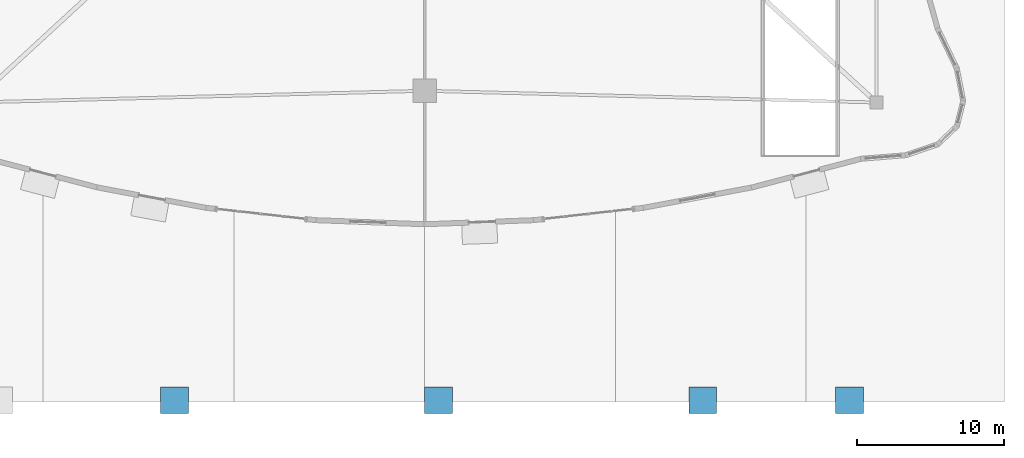
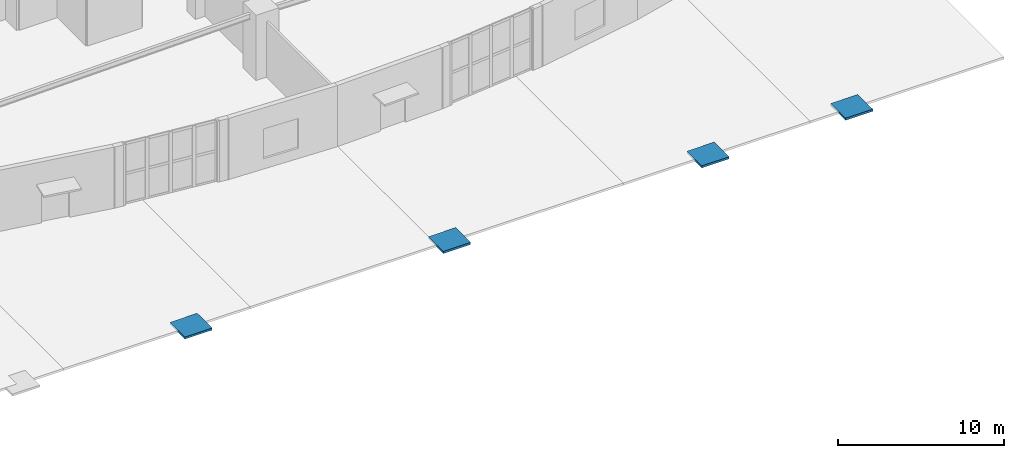
# One storey, part 27 of 32: 4 ramp flights, 4 elements without a shape of their own.
"""IFC4 building model written with IfcOpenShell, lengths in metres."""

from ifc_helpers import new_model, si_unit, direction, frame, origin, place, context, subcontext, project, spatial, polyline, outline, extrude, material, layer, layer_set, type_object, element, aggregate, save


model = new_model("IFC4")

# Units and contexts
model_context = context("Model", 3, precision=1e-05, world=origin(), true_north=direction((0.0, 1.0)))
body_context = subcontext(model_context, "Body", "Model", "MODEL_VIEW")
ifc_project = project(units=[si_unit("LENGTHUNIT", "METRE"), si_unit("AREAUNIT", "SQUARE_METRE"), si_unit("VOLUMEUNIT", "CUBIC_METRE"), si_unit("PLANEANGLEUNIT", "RADIAN"), si_unit("MASSUNIT", "GRAM", prefix="KILO")], contexts=[model_context])

# Site, building, storey
site_placement = place(None, origin())
site = spatial("IfcSite", under=ifc_project, at=site_placement, CompositionType="ELEMENT")
building_placement = place(site_placement, origin())
building = spatial("IfcBuilding", under=site, at=building_placement, Name="Miruveldt Soraemaru", CompositionType="ELEMENT")
storey_placement = place(building_placement, origin())
storey = spatial("IfcBuildingStorey", under=building, at=storey_placement, Name="L01", CompositionType="ELEMENT", Elevation=0.0)

# Ramp, ramp flight
ifc_material = material(Name="Concrete C40/50 (40 MPa)", Category="concrete")
ramp_type = type_object("IfcRampType", Name="RAMP-ACC-180", PredefinedType="HALF_TURN_RAMP", material=ifc_material)
ramp_1_placement = place(storey_placement, origin())
ramp_1 = element("IfcRamp", 1, at=ramp_1_placement, inside=storey, type_object=ramp_type, Name="L01 Step-Free Entrance Ramp 2", PredefinedType="HALF_TURN_RAMP")
ifc_layer = layer(ifc_material, 0.199951171875, Name="Concrete C40/50 (40 MPa)", Category="concrete")
ifc_layer_set = layer_set([ifc_layer], Name="Concrete C40/50 (40 MPa)")
ramp_flight_type = type_object("IfcRampFlightType", Name="RFL-ACC-200", PredefinedType="STRAIGHT", material=ifc_layer_set)
ramp_flight_1_placement = place(storey_placement, frame((26.0, 1.300048828125, -0.00048828125), z_axis=(0.0, 0.0, 1.0), x_axis=(1.0, 0.0, 0.0)))
ramp_flight_1 = element("IfcRampFlight", 2, at=ramp_flight_1_placement, type_object=ramp_flight_type, Name="L01 Step-Free Entrance Ramp Flight 2", PredefinedType="STRAIGHT", context=body_context, shape_type="SweptSolid", body=[
    extrude(outline(polyline([(0.0, 0.0), (0.0, -0.155029296875), (1.89990234375, -0.154541015625), (1.89990234375, 0.00048828125), (0.0, 0.0)])), frame((0.0, 0.89990234375, 0.0), z_axis=(0.0, -1.0, 0.0), x_axis=(1.0, 0.0, 0.0)), (0.0, 0.0, 1.0), 1.800048828125),
])
aggregate(ramp_1, [ramp_flight_1])

ramp_2_placement = place(storey_placement, origin())
ramp_2 = element("IfcRamp", 3, at=ramp_2_placement, inside=storey, type_object=ramp_type, Name="L01 Step-Free Entrance Ramp 3", PredefinedType="HALF_TURN_RAMP")
ramp_flight_2_placement = place(storey_placement, frame((44.0, 1.300048828125, -0.00048828125), z_axis=(0.0, 0.0, 1.0), x_axis=(1.0, 0.0, 0.0)))
ramp_flight_2 = element("IfcRampFlight", 4, at=ramp_flight_2_placement, type_object=ramp_flight_type, Name="L01 Step-Free Entrance Ramp Flight 3", PredefinedType="STRAIGHT", context=body_context, shape_type="SweptSolid", body=[
    extrude(outline(polyline([(0.0, 0.0), (0.0, -0.155029296875), (1.89990234375, -0.154541015625), (1.89990234375, 0.00048828125), (0.0, 0.0)])), frame((0.0, 0.89990234375, 0.0), z_axis=(0.0, -1.0, 0.0), x_axis=(1.0, 0.0, 0.0)), (0.0, 0.0, 1.0), 1.800048828125),
])
aggregate(ramp_2, [ramp_flight_2])

ramp_3_placement = place(storey_placement, origin())
ramp_3 = element("IfcRamp", 5, at=ramp_3_placement, inside=storey, type_object=ramp_type, Name="L01 Step-Free Entrance Ramp 4", PredefinedType="HALF_TURN_RAMP")
ramp_flight_3_placement = place(storey_placement, frame((62.0, 1.300048828125, -0.00048828125), z_axis=(0.0, 0.0, 1.0), x_axis=(1.0, 0.0, 0.0)))
ramp_flight_3 = element("IfcRampFlight", 6, at=ramp_flight_3_placement, type_object=ramp_flight_type, Name="L01 Step-Free Entrance Ramp Flight 4", PredefinedType="STRAIGHT", context=body_context, shape_type="SweptSolid", body=[
    extrude(outline(polyline([(0.0, 0.0), (0.0, -0.155029296875), (1.89990234375, -0.154541015625), (1.89990234375, 0.00048828125), (0.0, 0.0)])), frame((0.0, 0.89990234375, 0.0), z_axis=(0.0, -1.0, 0.0), x_axis=(1.0, 0.0, 0.0)), (0.0, 0.0, 1.0), 1.800048828125),
])
aggregate(ramp_3, [ramp_flight_3])

ramp_4_placement = place(storey_placement, origin())
ramp_4 = element("IfcRamp", 7, at=ramp_4_placement, inside=storey, type_object=ramp_type, Name="L01 Step-Free Entrance Ramp 5", PredefinedType="HALF_TURN_RAMP")
ramp_flight_4_placement = place(storey_placement, frame((72.0, 1.300048828125, -0.00048828125), z_axis=(0.0, 0.0, 1.0), x_axis=(1.0, 0.0, 0.0)))
ramp_flight_4 = element("IfcRampFlight", 8, at=ramp_flight_4_placement, type_object=ramp_flight_type, Name="L01 Step-Free Entrance Ramp Flight 5", PredefinedType="STRAIGHT", context=body_context, shape_type="SweptSolid", body=[
    extrude(outline(polyline([(0.0, 0.0), (0.0, -0.155029296875), (1.89990234375, -0.154541015625), (1.89990234375, 0.00048828125), (0.0, 0.0)])), frame((0.0, 0.89990234375, 0.0), z_axis=(0.0, -1.0, 0.0), x_axis=(1.0, 0.0, 0.0)), (0.0, 0.0, 1.0), 1.800048828125),
])
aggregate(ramp_4, [ramp_flight_4])

save(model, "model.ifc")
